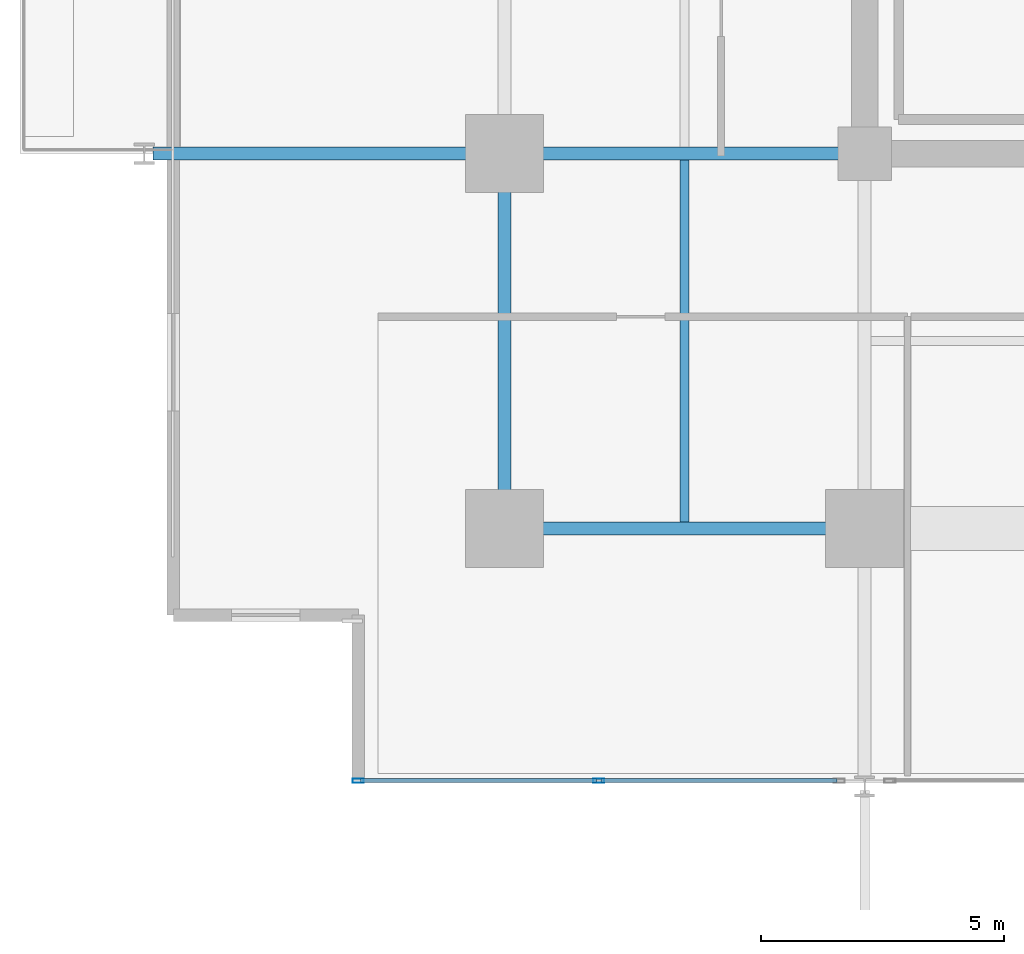
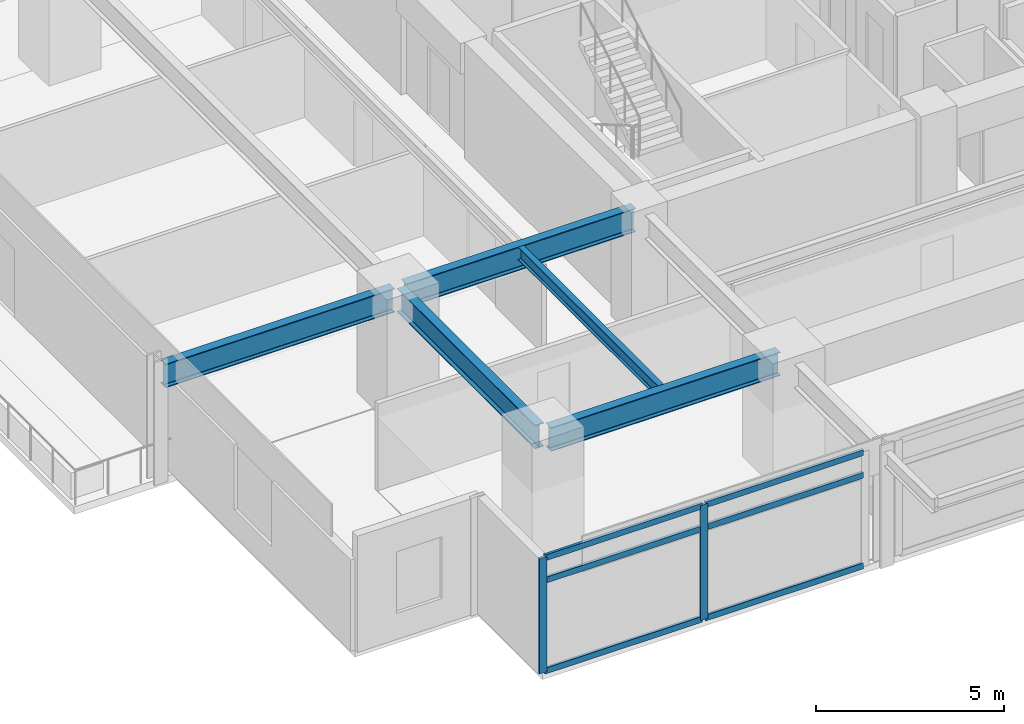
# One storey, part 2 of 23: 8 members, 5 beams, 1 element without a shape of its own.
"""IFC4 building model written with IfcOpenShell, lengths in metres."""

from ifc_helpers import new_model, si_unit, direction, frame, origin, origin_2d, place, context, subcontext, project, spatial, hollow_rectangle, i_section, extrude, material, material_profile, profile_set, type_object, element, aggregate, save


model = new_model("IFC4")

# Units and contexts
model_context = context("Model", 3, precision=1e-05, world=origin(), true_north=direction((0.0, 1.0)))
body_context = subcontext(model_context, "Body", "Model", "MODEL_VIEW")
ifc_project = project(units=[si_unit("LENGTHUNIT", "METRE"), si_unit("AREAUNIT", "SQUARE_METRE"), si_unit("VOLUMEUNIT", "CUBIC_METRE"), si_unit("PLANEANGLEUNIT", "RADIAN"), si_unit("MASSUNIT", "GRAM", prefix="KILO")], contexts=[model_context])

# Site, building, storey
site_placement = place(None, origin())
site = spatial("IfcSite", under=ifc_project, at=site_placement, CompositionType="ELEMENT")
building_placement = place(site_placement, origin())
building = spatial("IfcBuilding", under=site, at=building_placement, Name="Kovane Verandah Tower", CompositionType="ELEMENT")
storey_placement = place(building_placement, frame((0.0, 0.0, 168.39990234375)))
storey = spatial("IfcBuildingStorey", under=building, at=storey_placement, Name="L39", CompositionType="ELEMENT", Elevation=168.39990234375)

# Beams
ifc_material_1 = material(Name="Steel S355", Category="steel")
ifc_material_profile_1 = material_profile(ifc_material_1, i_section(OverallWidth=0.26806640625, OverallDepth=0.769775390625, WebThickness=0.015625, FlangeThickness=0.025390625, FilletRadius=0.0166015625, at=origin_2d()), Name="UB762x267x197")
ifc_profile_set_1 = profile_set([ifc_material_profile_1], Name="Steel S355")
beam_type_1 = type_object("IfcBeamType", Name="BM-UB762x197", PredefinedType="BEAM", material=ifc_profile_set_1)
beam_1_placement = place(storey_placement, frame((21.780029296875, 10.800048828125, 3.39013671875), z_axis=(1.0, 0.0, 0.0), x_axis=(0.0, 1.0, 0.0)))
element("IfcBeam", 1, at=beam_1_placement, inside=storey, type_object=beam_type_1, Name="L39 Primary Tower Girder G-RS1", PredefinedType="BEAM", context=body_context, shape_type="SweptSolid", body=[
    extrude(i_section(OverallWidth=0.26806640625, OverallDepth=0.769775390625, WebThickness=0.015625, FlangeThickness=0.025390625, FilletRadius=0.0166015625, at=origin_2d()), origin(), (0.0, 0.0, 1.0), 7.0400390625),
])
beam_2_placement = place(storey_placement, frame((21.60009765625, 10.97998046875, 3.39013671875), z_axis=(0.0, 1.0, 0.0), x_axis=(-1.0, 0.0, 0.0)))
element("IfcBeam", 2, at=beam_2_placement, inside=storey, type_object=beam_type_1, Name="L39 Primary Tower Girder G-RW1", PredefinedType="BEAM", context=body_context, shape_type="SweptSolid", body=[
    extrude(i_section(OverallWidth=0.26806640625, OverallDepth=0.769775390625, WebThickness=0.015625, FlangeThickness=0.025390625, FilletRadius=0.0166015625, at=origin_2d()), origin(), (0.0, 0.0, 1.0), 7.340087890625),
])
for number, where, z_axis, x_axis, name in (
    (3, (28.820068359375, 18.5, 3.39013671875), (-1.0, 0.0, 0.0), (0.0, -1.0, 0.0), "L39 Primary Tower Girder G-W1"),
    (4, (21.419921875, 18.5, 3.375244140625), (-1.0, 0.0, 0.0), (0.0, -1.0, 0.0), "L39 Primary Tower Girder G-VW1"),
):
    element("IfcBeam", number, at=place(storey_placement, frame(where, z_axis=z_axis, x_axis=x_axis)), inside=storey, type_object=beam_type_1, Name=name, PredefinedType="BEAM", context=body_context, shape_type="SweptSolid", body=[
        extrude(i_section(OverallWidth=0.26806640625, OverallDepth=0.769775390625, WebThickness=0.015625, FlangeThickness=0.025390625, FilletRadius=0.0166015625, at=origin_2d()), origin(), (0.0, 0.0, 1.0), 7.0400390625),
    ])

# Curtain wall, members
ifc_material_2 = material(Name="Champagne Anodised Aluminium Frame with Low-E Clear Laminated Glass", Category="aluminium")
curtain_wall_type = type_object("IfcCurtainWallType", Name="CW-SYS-03-MID", PredefinedType="NOTDEFINED", material=ifc_material_2)
curtain_wall_placement = place(storey_placement, origin())
curtain_wall = element("IfcCurtainWall", 5, at=curtain_wall_placement, inside=storey, type_object=curtain_wall_type, Name="L39 S Unitised Curtain Wall-1", PredefinedType="NOTDEFINED")
ifc_material_3 = material(Name="Champagne Anodised Aluminium 6063-T6", Category="aluminium")
ifc_material_profile_2 = material_profile(ifc_material_3, hollow_rectangle(XDim=0.0849609375, YDim=0.22998046875, WallThickness=0.00390625, at=origin_2d()), Name="AL85x230x4")
ifc_profile_set_2 = profile_set([ifc_material_profile_2], Name="Champagne Anodised Aluminium 6063-T6")
member_type_1 = type_object("IfcMemberType", Name="CW-MUL-85x230", PredefinedType="MULLION", material=ifc_profile_set_2)
member_1_placement = place(storey_placement, frame((18.5966796875, 5.617919921875, 0.02001953125), z_axis=(0.0, 0.0, 1.0), x_axis=(0.0, -1.0, 0.0)))
member_1 = element("IfcMember", 6, at=member_1_placement, type_object=member_type_1, Name="L39 S Unitised Curtain Wall-1 Mullion 1", PredefinedType="MULLION", context=body_context, shape_type="SweptSolid", body=[
    extrude(hollow_rectangle(XDim=0.0849609375, YDim=0.22998046875, WallThickness=0.00390625, at=origin_2d()), origin(), (0.0, 0.0, 1.0), 3.735107421875),
])
member_2_placement = place(storey_placement, frame((23.538330078125, 5.617919921875, 0.02001953125), z_axis=(0.0, 0.0, 1.0), x_axis=(0.0, -1.0, 0.0)))
member_2 = element("IfcMember", 7, at=member_2_placement, type_object=member_type_1, Name="L39 S Unitised Curtain Wall-1 Mullion 2", PredefinedType="MULLION", context=body_context, shape_type="SweptSolid", body=[
    extrude(hollow_rectangle(XDim=0.0849609375, YDim=0.22998046875, WallThickness=0.00390625, at=origin_2d()), origin(), (0.0, 0.0, 1.0), 3.735107421875),
])
ifc_material_profile_3 = material_profile(ifc_material_3, hollow_rectangle(XDim=0.0849609375, YDim=0.18994140625, WallThickness=0.00390625, at=origin_2d()), Name="AL85x190x4")
ifc_profile_set_3 = profile_set([ifc_material_profile_3], Name="Champagne Anodised Aluminium 6063-T6")
member_type_2 = type_object("IfcMemberType", Name="CW-TRN-85x190", PredefinedType="USERDEFINED", material=ifc_profile_set_3)
member_3_placement = place(storey_placement, frame((18.646728515625, 5.617919921875, 0.050048828125), z_axis=(1.0, 0.0, 0.0), x_axis=(0.0, 1.0, 0.0)))
member_3 = element("IfcMember", 8, at=member_3_placement, type_object=member_type_2, Name="L39 S Unitised Curtain Wall-1 Transom TB Bay 1", ObjectType="TRANSOM", PredefinedType="USERDEFINED", context=body_context, shape_type="SweptSolid", body=[
    extrude(hollow_rectangle(XDim=0.0849609375, YDim=0.18994140625, WallThickness=0.00390625, at=origin_2d()), origin(), (0.0, 0.0, 1.0), 4.841552734375),
])
member_4_placement = place(storey_placement, frame((18.646728515625, 5.617919921875, 2.9951171875), z_axis=(1.0, 0.0, 0.0), x_axis=(0.0, 1.0, 0.0)))
member_4 = element("IfcMember", 9, at=member_4_placement, type_object=member_type_2, Name="L39 S Unitised Curtain Wall-1 Transom TM Bay 1", ObjectType="TRANSOM", PredefinedType="USERDEFINED", context=body_context, shape_type="SweptSolid", body=[
    extrude(hollow_rectangle(XDim=0.0849609375, YDim=0.18994140625, WallThickness=0.00390625, at=origin_2d()), origin(), (0.0, 0.0, 1.0), 4.841552734375),
])
member_5_placement = place(storey_placement, frame((18.646728515625, 5.617919921875, 3.72509765625), z_axis=(1.0, 0.0, 0.0), x_axis=(0.0, 1.0, 0.0)))
member_5 = element("IfcMember", 10, at=member_5_placement, type_object=member_type_2, Name="L39 S Unitised Curtain Wall-1 Transom TT Bay 1", ObjectType="TRANSOM", PredefinedType="USERDEFINED", context=body_context, shape_type="SweptSolid", body=[
    extrude(hollow_rectangle(XDim=0.0849609375, YDim=0.18994140625, WallThickness=0.00390625, at=origin_2d()), origin(), (0.0, 0.0, 1.0), 4.841552734375),
])
member_6_placement = place(storey_placement, frame((23.58837890625, 5.617919921875, 0.050048828125), z_axis=(1.0, 0.0, 0.0), x_axis=(0.0, 1.0, 0.0)))
member_6 = element("IfcMember", 11, at=member_6_placement, type_object=member_type_2, Name="L39 S Unitised Curtain Wall-1 Transom TB Bay 2", ObjectType="TRANSOM", PredefinedType="USERDEFINED", context=body_context, shape_type="SweptSolid", body=[
    extrude(hollow_rectangle(XDim=0.0849609375, YDim=0.18994140625, WallThickness=0.00390625, at=origin_2d()), origin(), (0.0, 0.0, 1.0), 4.841552734375),
])
member_7_placement = place(storey_placement, frame((23.58837890625, 5.617919921875, 2.9951171875), z_axis=(1.0, 0.0, 0.0), x_axis=(0.0, 1.0, 0.0)))
member_7 = element("IfcMember", 12, at=member_7_placement, type_object=member_type_2, Name="L39 S Unitised Curtain Wall-1 Transom TM Bay 2", ObjectType="TRANSOM", PredefinedType="USERDEFINED", context=body_context, shape_type="SweptSolid", body=[
    extrude(hollow_rectangle(XDim=0.0849609375, YDim=0.18994140625, WallThickness=0.00390625, at=origin_2d()), origin(), (0.0, 0.0, 1.0), 4.841552734375),
])
member_8_placement = place(storey_placement, frame((23.58837890625, 5.617919921875, 3.72509765625), z_axis=(1.0, 0.0, 0.0), x_axis=(0.0, 1.0, 0.0)))
member_8 = element("IfcMember", 13, at=member_8_placement, type_object=member_type_2, Name="L39 S Unitised Curtain Wall-1 Transom TT Bay 2", ObjectType="TRANSOM", PredefinedType="USERDEFINED", context=body_context, shape_type="SweptSolid", body=[
    extrude(hollow_rectangle(XDim=0.0849609375, YDim=0.18994140625, WallThickness=0.00390625, at=origin_2d()), origin(), (0.0, 0.0, 1.0), 4.841552734375),
])
aggregate(curtain_wall, [member_1, member_2, member_3, member_4, member_5, member_6, member_7, member_8])

# Beam
ifc_material_profile_4 = material_profile(ifc_material_1, i_section(OverallWidth=0.179443359375, OverallDepth=0.412841796875, WebThickness=0.009521484375, FlangeThickness=0.01611328125, FilletRadius=0.01025390625, at=origin_2d()), Name="UB406x178x74")
ifc_profile_set_4 = profile_set([ifc_material_profile_4], Name="Steel S355")
beam_type_2 = type_object("IfcBeamType", Name="JST-UB406x74", PredefinedType="JOIST", material=ifc_profile_set_4)
beam_3_placement = place(storey_placement, frame((25.300048828125, 10.931884765625, 3.568603515625), z_axis=(0.0, 1.0, 0.0), x_axis=(-1.0, 0.0, 0.0)))
element("IfcBeam", 14, at=beam_3_placement, inside=storey, type_object=beam_type_2, Name="L39 Secondary Composite Joist J-SW1", PredefinedType="JOIST", context=body_context, shape_type="SweptSolid", body=[
    extrude(i_section(OverallWidth=0.179443359375, OverallDepth=0.412841796875, WebThickness=0.009521484375, FlangeThickness=0.01611328125, FilletRadius=0.01025390625, at=origin_2d()), origin(), (0.0, 0.0, 1.0), 7.43603515625),
])

save(model, "model.ifc")
